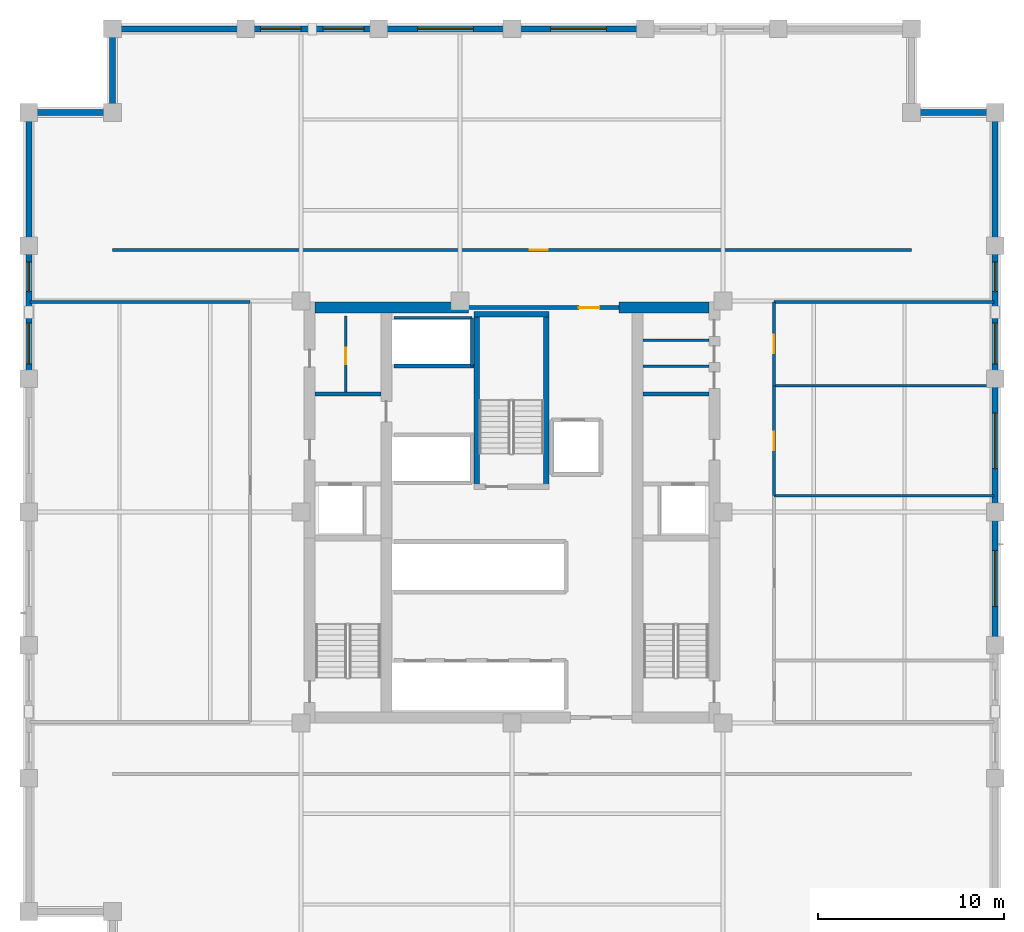
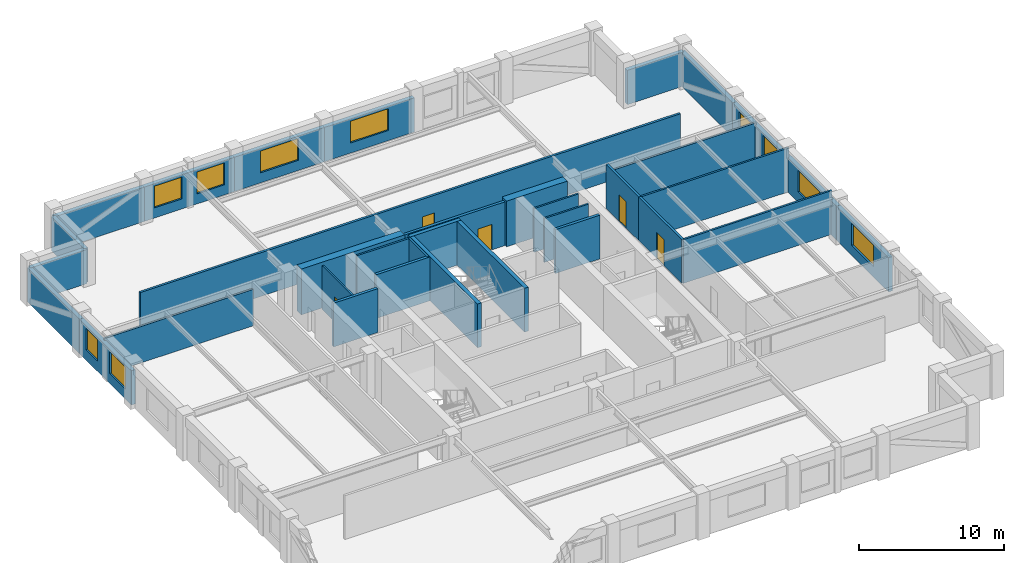
# One storey, part 7 of 9: 34 walls, 10 windows, 5 doors, 15 openings.
"""IFC4 building model written with IfcOpenShell, lengths in metres."""

from ifc_helpers import new_model, si_unit, direction, frame, frame_2d, origin, place, context, subcontext, project, spatial, rectangle, extrude, material, layer, layer_set, type_object, element, fill, save


model = new_model("IFC4")

# Units and contexts
model_context = context("Model", 3, precision=1e-05, world=origin(), true_north=direction((0.0, 1.0)))
body_context = subcontext(model_context, "Body", "Model", "MODEL_VIEW")
ifc_project = project(units=[si_unit("LENGTHUNIT", "METRE"), si_unit("AREAUNIT", "SQUARE_METRE"), si_unit("VOLUMEUNIT", "CUBIC_METRE"), si_unit("PLANEANGLEUNIT", "RADIAN"), si_unit("MASSUNIT", "GRAM", prefix="KILO")], contexts=[model_context])

# Site, building, storey
site_placement = place(None, origin())
site = spatial("IfcSite", under=ifc_project, at=site_placement, CompositionType="ELEMENT")
building_placement = place(site_placement, origin())
building = spatial("IfcBuilding", under=site, at=building_placement, Name="Nhamokura Convention Tower", CompositionType="ELEMENT")
storey_placement = place(building_placement, frame((0.0, 0.0, 149.10009765625)))
storey = spatial("IfcBuildingStorey", under=building, at=storey_placement, Name="L36", CompositionType="ELEMENT", Elevation=149.10009765625)

# Wall, opening, door
ifc_material_1 = material(Name="Moisture-resistant tile-backer partition", Category="masonry")
ifc_layer_1 = layer(ifc_material_1, 0.139892578125)
ifc_layer_set_1 = layer_set([ifc_layer_1], Name="BathroomWetWall_140")
wall_type_1 = type_object("IfcWallType", Name="BathroomWetWall_140", PredefinedType="STANDARD", material=ifc_layer_set_1)
wall_1_placement = place(storey_placement, frame((23.050048828125, 38.449951171875, 0.0), z_axis=(0.0, 0.0, 1.0), x_axis=(0.0, 1.0, 0.0)))
wall_1 = element("IfcWall", 1, at=wall_1_placement, inside=storey, type_object=wall_type_1, Name="L36 Wall INT-L36-CWNWV", PredefinedType="STANDARD", context=body_context, shape_type="SweptSolid", body=[
    extrude(rectangle(XDim=4.10009765625, YDim=0.139892578125, at=frame_2d((2.050048828125, 0.0))), origin(), (0.0, 0.0, 1.0), 3.684814453125),
])
opening_1_placement = place(wall_1_placement, frame((1.5, 0.0, 0.0)))
opening_1 = element("IfcOpeningElement", 2, at=opening_1_placement, cuts=wall_1, Name="Opening D-11", PredefinedType="OPENING", context=body_context, shape_type="SweptSolid", body=[
    extrude(rectangle(XDim=0.8798828125, YDim=2.10009765625, at=frame_2d((0.43994140625, 1.050048828125))), frame((0.0, 0.079833984375, 0.0), z_axis=(0.0, -1.0, 0.0), x_axis=(1.0, 0.0, 0.0)), (0.0, 0.0, 1.0), 0.159912109375),
])
ifc_material_2 = material(Name="Solid oak hardwood", Category="wood")
door_type_1 = type_object("IfcDoorType", Name="BathroomDoor_880", OperationType="NOTDEFINED", PredefinedType="DOOR", material=ifc_material_2)
door_1_placement = place(opening_1_placement, origin())
door_1 = element("IfcDoor", 3, at=door_1_placement, inside=storey, type_object=door_type_1, Name="L36 Inner Store Door", OperationType="SINGLE_SWING_LEFT", OverallHeight=2.10009765625, OverallWidth=0.8798828125, PredefinedType="DOOR", context=body_context, shape_type="SweptSolid", body=[
    extrude(rectangle(XDim=0.8798828125, YDim=2.10009765625, at=frame_2d((0.43994140625, 1.050048828125))), frame((0.0, 0.02490234375, 0.0), z_axis=(0.0, -1.0, 0.0), x_axis=(1.0, 0.0, 0.0)), (0.0, 0.0, 1.0), 0.050048828125),
])
fill(opening_1, door_1)

# Walls
for number, where, z_axis, x_axis, name in (
    (4, (39.06005859375, 39.85009765625, 0.0), (0.0, 0.0, 1.0), (1.0, 0.0, 0.0), "L36 Wall INT-L36-CWNE1"),
    (5, (39.06005859375, 41.25, 0.0), (0.0, 0.0, 1.0), (1.0, 0.0, 0.0), "L36 Wall INT-L36-CWNE2"),
):
    element("IfcWall", number, at=place(storey_placement, frame(where, z_axis=z_axis, x_axis=x_axis)), inside=storey, type_object=wall_type_1, Name=name, PredefinedType="STANDARD", context=body_context, shape_type="SweptSolid", body=[
        extrude(rectangle(XDim=3.530029296875, YDim=0.139892578125, at=frame_2d((1.76513671875, 0.0))), origin(), (0.0, 0.0, 1.0), 3.684814453125),
    ])
ifc_material_3 = material(Name="Bronze-pigmented precast concrete C45/55", Category="concrete")
ifc_layer_2 = layer(ifc_material_3, 0.320068359375)
ifc_layer_set_2 = layer_set([ifc_layer_2], Name="BronzePrecastSpandrel_320")
wall_type_2 = type_object("IfcWallType", Name="BronzePrecastSpandrel_320", PredefinedType="USERDEFINED", material=ifc_layer_set_2)
wall_2_placement = place(storey_placement, frame((10.5, 58.0, 0.0), z_axis=(0.0, 0.0, 1.0), x_axis=(1.0, 0.0, 0.0)))
element("IfcWall", 6, at=wall_2_placement, inside=storey, type_object=wall_type_2, Name="L36 Braced-Bay Precast Wall NORTH 0", ObjectType="SPANDREL_WALL", PredefinedType="USERDEFINED", context=body_context, shape_type="SweptSolid", body=[
    extrude(rectangle(XDim=7.166748046875, YDim=0.320068359375, at=frame_2d((3.58349609375, 0.0))), origin(), (0.0, 0.0, 1.0), 2.885009765625),
])

# Wall, openings, windows
wall_3_placement = place(storey_placement, frame((17.666748046875, 58.0, 0.0), z_axis=(0.0, 0.0, 1.0), x_axis=(1.0, 0.0, 0.0)))
wall_3 = element("IfcWall", 7, at=wall_3_placement, inside=storey, type_object=wall_type_2, Name="L36 Masonry-Frame Wall NORTH 1", ObjectType="SPANDREL_WALL", PredefinedType="USERDEFINED", context=body_context, shape_type="SweptSolid", body=[
    extrude(rectangle(XDim=7.16650390625, YDim=0.320068359375, at=frame_2d((3.583251953125, 0.0))), origin(), (0.0, 0.0, 1.0), 2.885009765625),
])
opening_2_placement = place(wall_3_placement, frame((0.791748046875, 0.0, 0.85009765625)))
opening_2 = element("IfcOpeningElement", 8, at=opening_2_placement, cuts=wall_3, Name="Opening W-06", PredefinedType="OPENING", context=body_context, shape_type="SweptSolid", body=[
    extrude(rectangle(XDim=2.199951171875, YDim=1.8349609375, at=frame_2d((1.10009765625, 0.91748046875))), frame((0.0, 0.169921875, 0.0), z_axis=(0.0, -1.0, 0.0), x_axis=(1.0, 0.0, 0.0)), (0.0, 0.0, 1.0), 0.340087890625),
])
opening_3_placement = place(wall_3_placement, frame((4.175048828125, 0.0, 0.85009765625)))
opening_3 = element("IfcOpeningElement", 9, at=opening_3_placement, cuts=wall_3, Name="Opening W-06", PredefinedType="OPENING", context=body_context, shape_type="SweptSolid", body=[
    extrude(rectangle(XDim=2.199951171875, YDim=1.8349609375, at=frame_2d((1.10009765625, 0.91748046875))), frame((0.0, 0.169921875, 0.0), z_axis=(0.0, -1.0, 0.0), x_axis=(1.0, 0.0, 0.0)), (0.0, 0.0, 1.0), 0.340087890625),
])
ifc_material_4 = material(Name="Solar-control bronze low-E double glass", Category="glass")
window_type_1 = type_object("IfcWindowType", Name="OfficeModuleWindow_Z2_2200", PartitioningType="SINGLE_PANEL", PredefinedType="WINDOW", material=ifc_material_4)
window_1_placement = place(opening_2_placement, origin())
window_1 = element("IfcWindow", 10, at=window_1_placement, inside=storey, type_object=window_type_1, Name="L36 Facade Window NORTH 1-1", OverallHeight=1.8349609375, OverallWidth=2.199951171875, PartitioningType="SINGLE_PANEL", PredefinedType="WINDOW", context=body_context, shape_type="SweptSolid", body=[
    extrude(rectangle(XDim=2.199951171875, YDim=1.8349609375, at=frame_2d((1.10009765625, 0.91748046875))), frame((0.0, 0.030029296875, 0.0), z_axis=(0.0, -1.0, 0.0), x_axis=(1.0, 0.0, 0.0)), (0.0, 0.0, 1.0), 0.06005859375),
])
fill(opening_2, window_1)
window_2_placement = place(opening_3_placement, origin())
window_2 = element("IfcWindow", 11, at=window_2_placement, inside=storey, type_object=window_type_1, Name="L36 Facade Window NORTH 1-2", OverallHeight=1.8349609375, OverallWidth=2.199951171875, PartitioningType="SINGLE_PANEL", PredefinedType="WINDOW", context=body_context, shape_type="SweptSolid", body=[
    extrude(rectangle(XDim=2.199951171875, YDim=1.8349609375, at=frame_2d((1.10009765625, 0.91748046875))), frame((0.0, 0.030029296875, 0.0), z_axis=(0.0, -1.0, 0.0), x_axis=(1.0, 0.0, 0.0)), (0.0, 0.0, 1.0), 0.06005859375),
])
fill(opening_3, window_2)

# Wall, opening, window
wall_4_placement = place(storey_placement, frame((24.833251953125, 58.0, 0.0), z_axis=(0.0, 0.0, 1.0), x_axis=(1.0, 0.0, 0.0)))
wall_4 = element("IfcWall", 12, at=wall_4_placement, inside=storey, type_object=wall_type_2, Name="L36 Masonry-Frame Wall NORTH 2", ObjectType="SPANDREL_WALL", PredefinedType="USERDEFINED", context=body_context, shape_type="SweptSolid", body=[
    extrude(rectangle(XDim=7.166748046875, YDim=0.320068359375, at=frame_2d((3.58349609375, 0.0))), origin(), (0.0, 0.0, 1.0), 2.885009765625),
])
opening_4_placement = place(wall_4_placement, frame((2.083251953125, 0.0, 0.85009765625)))
opening_4 = element("IfcOpeningElement", 13, at=opening_4_placement, cuts=wall_4, Name="Opening W-05", PredefinedType="OPENING", context=body_context, shape_type="SweptSolid", body=[
    extrude(rectangle(XDim=3.0, YDim=1.8349609375, at=frame_2d((1.5, 0.91748046875))), frame((0.0, 0.169921875, 0.0), z_axis=(0.0, -1.0, 0.0), x_axis=(1.0, 0.0, 0.0)), (0.0, 0.0, 1.0), 0.340087890625),
])
ifc_material_5 = material(Name="Solar-control bronze low-E double glass", Category="glass")
window_type_2 = type_object("IfcWindowType", Name="OfficeModuleWindow_Z2_3000", PartitioningType="DOUBLE_PANEL_VERTICAL", PredefinedType="WINDOW", material=ifc_material_5)
window_3_placement = place(opening_4_placement, origin())
window_3 = element("IfcWindow", 14, at=window_3_placement, inside=storey, type_object=window_type_2, Name="L36 Facade Window NORTH 2", OverallHeight=1.8349609375, OverallWidth=3.0, PartitioningType="SINGLE_PANEL", PredefinedType="WINDOW", context=body_context, shape_type="SweptSolid", body=[
    extrude(rectangle(XDim=3.0, YDim=1.8349609375, at=frame_2d((1.5, 0.91748046875))), frame((0.0, 0.030029296875, 0.0), z_axis=(0.0, -1.0, 0.0), x_axis=(1.0, 0.0, 0.0)), (0.0, 0.0, 1.0), 0.06005859375),
])
fill(opening_4, window_3)

wall_5_placement = place(storey_placement, frame((32.0, 58.0, 0.0), z_axis=(0.0, 0.0, 1.0), x_axis=(1.0, 0.0, 0.0)))
wall_5 = element("IfcWall", 15, at=wall_5_placement, inside=storey, type_object=wall_type_2, Name="L36 Masonry-Frame Wall NORTH 3", ObjectType="SPANDREL_WALL", PredefinedType="USERDEFINED", context=body_context, shape_type="SweptSolid", body=[
    extrude(rectangle(XDim=7.166748046875, YDim=0.320068359375, at=frame_2d((3.58349609375, 0.0))), origin(), (0.0, 0.0, 1.0), 2.885009765625),
])
opening_5_placement = place(wall_5_placement, frame((2.083251953125, 0.0, 0.85009765625)))
opening_5 = element("IfcOpeningElement", 16, at=opening_5_placement, cuts=wall_5, Name="Opening W-05", PredefinedType="OPENING", context=body_context, shape_type="SweptSolid", body=[
    extrude(rectangle(XDim=3.0, YDim=1.8349609375, at=frame_2d((1.5, 0.91748046875))), frame((0.0, 0.169921875, 0.0), z_axis=(0.0, -1.0, 0.0), x_axis=(1.0, 0.0, 0.0)), (0.0, 0.0, 1.0), 0.340087890625),
])
window_4_placement = place(opening_5_placement, origin())
window_4 = element("IfcWindow", 17, at=window_4_placement, inside=storey, type_object=window_type_2, Name="L36 Facade Window NORTH 3", OverallHeight=1.8349609375, OverallWidth=3.0, PartitioningType="SINGLE_PANEL", PredefinedType="WINDOW", context=body_context, shape_type="SweptSolid", body=[
    extrude(rectangle(XDim=3.0, YDim=1.8349609375, at=frame_2d((1.5, 0.91748046875))), frame((0.0, 0.030029296875, 0.0), z_axis=(0.0, -1.0, 0.0), x_axis=(1.0, 0.0, 0.0)), (0.0, 0.0, 1.0), 0.06005859375),
])
fill(opening_5, window_4)

# Wall, openings, windows
wall_6_placement = place(storey_placement, frame((6.0, 39.166748046875, 0.0), z_axis=(0.0, 0.0, 1.0), x_axis=(0.0, 1.0, 0.0)))
wall_6 = element("IfcWall", 18, at=wall_6_placement, inside=storey, type_object=wall_type_2, Name="L36 Masonry-Frame Wall WEST 4", ObjectType="SPANDREL_WALL", PredefinedType="USERDEFINED", context=body_context, shape_type="SweptSolid", body=[
    extrude(rectangle(XDim=7.16650390625, YDim=0.320068359375, at=frame_2d((3.583251953125, 0.0))), origin(), (0.0, 0.0, 1.0), 2.885009765625),
])
opening_6_placement = place(wall_6_placement, frame((0.791748046875, 0.0, 0.85009765625)))
opening_6 = element("IfcOpeningElement", 19, at=opening_6_placement, cuts=wall_6, Name="Opening W-06", PredefinedType="OPENING", context=body_context, shape_type="SweptSolid", body=[
    extrude(rectangle(XDim=2.199951171875, YDim=1.8349609375, at=frame_2d((1.10009765625, 0.91748046875))), frame((0.0, 0.169921875, 0.0), z_axis=(0.0, -1.0, 0.0), x_axis=(1.0, 0.0, 0.0)), (0.0, 0.0, 1.0), 0.340087890625),
])
opening_7_placement = place(wall_6_placement, frame((4.6875, 0.0, 0.85009765625)))
opening_7 = element("IfcOpeningElement", 20, at=opening_7_placement, cuts=wall_6, Name="Opening W-11", PredefinedType="OPENING", context=body_context, shape_type="SweptSolid", body=[
    extrude(rectangle(XDim=1.60009765625, YDim=1.8349609375, at=frame_2d((0.800048828125, 0.91748046875))), frame((0.0, 0.169921875, 0.0), z_axis=(0.0, -1.0, 0.0), x_axis=(1.0, 0.0, 0.0)), (0.0, 0.0, 1.0), 0.340087890625),
])
ifc_material_6 = material(Name="Solar-control bronze low-E double glass", Category="glass")
window_type_3 = type_object("IfcWindowType", Name="NotchCornerWindow_1600", PartitioningType="SINGLE_PANEL", PredefinedType="WINDOW", material=ifc_material_6)
window_5_placement = place(opening_7_placement, origin())
window_5 = element("IfcWindow", 21, at=window_5_placement, inside=storey, type_object=window_type_3, Name="L36 Facade Window WEST 4-2", OverallHeight=1.8349609375, OverallWidth=1.60009765625, PartitioningType="SINGLE_PANEL", PredefinedType="WINDOW", context=body_context, shape_type="SweptSolid", body=[
    extrude(rectangle(XDim=1.60009765625, YDim=1.8349609375, at=frame_2d((0.800048828125, 0.91748046875))), frame((0.0, 0.030029296875, 0.0), z_axis=(0.0, -1.0, 0.0), x_axis=(1.0, 0.0, 0.0)), (0.0, 0.0, 1.0), 0.06005859375),
])
fill(opening_7, window_5)
window_6_placement = place(opening_6_placement, origin())
window_6 = element("IfcWindow", 22, at=window_6_placement, inside=storey, type_object=window_type_1, Name="L36 Facade Window WEST 4-1", OverallHeight=1.8349609375, OverallWidth=2.199951171875, PartitioningType="SINGLE_PANEL", PredefinedType="WINDOW", context=body_context, shape_type="SweptSolid", body=[
    extrude(rectangle(XDim=2.199951171875, YDim=1.8349609375, at=frame_2d((1.10009765625, 0.91748046875))), frame((0.0, 0.030029296875, 0.0), z_axis=(0.0, -1.0, 0.0), x_axis=(1.0, 0.0, 0.0)), (0.0, 0.0, 1.0), 0.06005859375),
])
fill(opening_6, window_6)

# Wall
wall_7_placement = place(storey_placement, frame((6.0, 46.333251953125, 0.0), z_axis=(0.0, 0.0, 1.0), x_axis=(0.0, 1.0, 0.0)))
element("IfcWall", 23, at=wall_7_placement, inside=storey, type_object=wall_type_2, Name="L36 Braced-Bay Precast Wall WEST 5", ObjectType="SPANDREL_WALL", PredefinedType="USERDEFINED", context=body_context, shape_type="SweptSolid", body=[
    extrude(rectangle(XDim=7.166748046875, YDim=0.320068359375, at=frame_2d((3.58349609375, 0.0))), origin(), (0.0, 0.0, 1.0), 2.885009765625),
])

# Wall, opening, window
wall_8_placement = place(storey_placement, frame((58.0, 32.0, 0.0), z_axis=(0.0, 0.0, 1.0), x_axis=(0.0, -1.0, 0.0)))
wall_8 = element("IfcWall", 24, at=wall_8_placement, inside=storey, type_object=wall_type_2, Name="L36 Masonry-Frame Wall EAST 2", ObjectType="SPANDREL_WALL", PredefinedType="USERDEFINED", context=body_context, shape_type="SweptSolid", body=[
    extrude(rectangle(XDim=7.166748046875, YDim=0.320068359375, at=frame_2d((3.58349609375, 0.0))), origin(), (0.0, 0.0, 1.0), 2.885009765625),
])
opening_8_placement = place(wall_8_placement, frame((2.083251953125, 0.0, 0.85009765625)))
opening_8 = element("IfcOpeningElement", 25, at=opening_8_placement, cuts=wall_8, Name="Opening W-05", PredefinedType="OPENING", context=body_context, shape_type="SweptSolid", body=[
    extrude(rectangle(XDim=3.0, YDim=1.8349609375, at=frame_2d((1.5, 0.91748046875))), frame((0.0, 0.169921875, 0.0), z_axis=(0.0, -1.0, 0.0), x_axis=(1.0, 0.0, 0.0)), (0.0, 0.0, 1.0), 0.340087890625),
])
window_7_placement = place(opening_8_placement, origin())
window_7 = element("IfcWindow", 26, at=window_7_placement, inside=storey, type_object=window_type_2, Name="L36 Facade Window EAST 2", OverallHeight=1.8349609375, OverallWidth=3.0, PartitioningType="SINGLE_PANEL", PredefinedType="WINDOW", context=body_context, shape_type="SweptSolid", body=[
    extrude(rectangle(XDim=3.0, YDim=1.8349609375, at=frame_2d((1.5, 0.91748046875))), frame((0.0, 0.030029296875, 0.0), z_axis=(0.0, -1.0, 0.0), x_axis=(1.0, 0.0, 0.0)), (0.0, 0.0, 1.0), 0.06005859375),
])
fill(opening_8, window_7)

wall_9_placement = place(storey_placement, frame((58.0, 39.166748046875, 0.0), z_axis=(0.0, 0.0, 1.0), x_axis=(0.0, -1.0, 0.0)))
wall_9 = element("IfcWall", 27, at=wall_9_placement, inside=storey, type_object=wall_type_2, Name="L36 Masonry-Frame Wall EAST 3", ObjectType="SPANDREL_WALL", PredefinedType="USERDEFINED", context=body_context, shape_type="SweptSolid", body=[
    extrude(rectangle(XDim=7.166748046875, YDim=0.320068359375, at=frame_2d((3.58349609375, 0.0))), origin(), (0.0, 0.0, 1.0), 2.885009765625),
])
opening_9_placement = place(wall_9_placement, frame((1.833251953125, 0.0, 0.85009765625)))
opening_9 = element("IfcOpeningElement", 28, at=opening_9_placement, cuts=wall_9, Name="Opening W-05", PredefinedType="OPENING", context=body_context, shape_type="SweptSolid", body=[
    extrude(rectangle(XDim=3.0, YDim=1.8349609375, at=frame_2d((1.5, 0.91748046875))), frame((0.0, 0.169921875, 0.0), z_axis=(0.0, -1.0, 0.0), x_axis=(1.0, 0.0, 0.0)), (0.0, 0.0, 1.0), 0.340087890625),
])
window_8_placement = place(opening_9_placement, origin())
window_8 = element("IfcWindow", 29, at=window_8_placement, inside=storey, type_object=window_type_2, Name="L36 Facade Window EAST 3", OverallHeight=1.8349609375, OverallWidth=3.0, PartitioningType="SINGLE_PANEL", PredefinedType="WINDOW", context=body_context, shape_type="SweptSolid", body=[
    extrude(rectangle(XDim=3.0, YDim=1.8349609375, at=frame_2d((1.5, 0.91748046875))), frame((0.0, 0.030029296875, 0.0), z_axis=(0.0, -1.0, 0.0), x_axis=(1.0, 0.0, 0.0)), (0.0, 0.0, 1.0), 0.06005859375),
])
fill(opening_9, window_8)

# Wall, openings, windows
wall_10_placement = place(storey_placement, frame((58.0, 46.333251953125, 0.0), z_axis=(0.0, 0.0, 1.0), x_axis=(0.0, -1.0, 0.0)))
wall_10 = element("IfcWall", 30, at=wall_10_placement, inside=storey, type_object=wall_type_2, Name="L36 Masonry-Frame Wall EAST 4", ObjectType="SPANDREL_WALL", PredefinedType="USERDEFINED", context=body_context, shape_type="SweptSolid", body=[
    extrude(rectangle(XDim=7.16650390625, YDim=0.320068359375, at=frame_2d((3.583251953125, 0.0))), origin(), (0.0, 0.0, 1.0), 2.885009765625),
])
opening_10_placement = place(wall_10_placement, frame((0.879150390625, 0.0, 0.85009765625)))
opening_10 = element("IfcOpeningElement", 31, at=opening_10_placement, cuts=wall_10, Name="Opening W-11", PredefinedType="OPENING", context=body_context, shape_type="SweptSolid", body=[
    extrude(rectangle(XDim=1.60009765625, YDim=1.8349609375, at=frame_2d((0.800048828125, 0.91748046875))), frame((0.0, 0.169921875, 0.0), z_axis=(0.0, -1.0, 0.0), x_axis=(1.0, 0.0, 0.0)), (0.0, 0.0, 1.0), 0.340087890625),
])
opening_11_placement = place(wall_10_placement, frame((4.175048828125, 0.0, 0.85009765625)))
opening_11 = element("IfcOpeningElement", 32, at=opening_11_placement, cuts=wall_10, Name="Opening W-06", PredefinedType="OPENING", context=body_context, shape_type="SweptSolid", body=[
    extrude(rectangle(XDim=2.199951171875, YDim=1.8349609375, at=frame_2d((1.10009765625, 0.91748046875))), frame((0.0, 0.169921875, 0.0), z_axis=(0.0, -1.0, 0.0), x_axis=(1.0, 0.0, 0.0)), (0.0, 0.0, 1.0), 0.340087890625),
])
window_9_placement = place(opening_10_placement, origin())
window_9 = element("IfcWindow", 33, at=window_9_placement, inside=storey, type_object=window_type_3, Name="L36 Facade Window EAST 4-1", OverallHeight=1.8349609375, OverallWidth=1.60009765625, PartitioningType="SINGLE_PANEL", PredefinedType="WINDOW", context=body_context, shape_type="SweptSolid", body=[
    extrude(rectangle(XDim=1.60009765625, YDim=1.8349609375, at=frame_2d((0.800048828125, 0.91748046875))), frame((0.0, 0.030029296875, 0.0), z_axis=(0.0, -1.0, 0.0), x_axis=(1.0, 0.0, 0.0)), (0.0, 0.0, 1.0), 0.06005859375),
])
fill(opening_10, window_9)
window_10_placement = place(opening_11_placement, origin())
window_10 = element("IfcWindow", 34, at=window_10_placement, inside=storey, type_object=window_type_1, Name="L36 Facade Window EAST 4-2", OverallHeight=1.8349609375, OverallWidth=2.199951171875, PartitioningType="SINGLE_PANEL", PredefinedType="WINDOW", context=body_context, shape_type="SweptSolid", body=[
    extrude(rectangle(XDim=2.199951171875, YDim=1.8349609375, at=frame_2d((1.10009765625, 0.91748046875))), frame((0.0, 0.030029296875, 0.0), z_axis=(0.0, -1.0, 0.0), x_axis=(1.0, 0.0, 0.0)), (0.0, 0.0, 1.0), 0.06005859375),
])
fill(opening_11, window_10)

# Walls
wall_11_placement = place(storey_placement, frame((58.0, 53.5, 0.0), z_axis=(0.0, 0.0, 1.0), x_axis=(0.0, -1.0, 0.0)))
element("IfcWall", 35, at=wall_11_placement, inside=storey, type_object=wall_type_2, Name="L36 Braced-Bay Precast Wall EAST 5", ObjectType="SPANDREL_WALL", PredefinedType="USERDEFINED", context=body_context, shape_type="SweptSolid", body=[
    extrude(rectangle(XDim=7.166748046875, YDim=0.320068359375, at=frame_2d((3.58349609375, 0.0))), origin(), (0.0, 0.0, 1.0), 2.885009765625),
])
for number, where, z_axis, x_axis, name in (
    (36, (53.5, 53.5, 0.0), (0.0, 0.0, 1.0), (1.0, 0.0, 0.0), "L36 Notched Corner Wall NE1"),
    (37, (10.5, 53.5, 0.0), (0.0, 0.0, 1.0), (0.0, 1.0, 0.0), "L36 Notched Corner Wall NW1"),
    (38, (6.0, 53.5, 0.0), (0.0, 0.0, 1.0), (1.0, 0.0, 0.0), "L36 Notched Corner Wall NW2"),
):
    element("IfcWall", number, at=place(storey_placement, frame(where, z_axis=z_axis, x_axis=x_axis)), inside=storey, type_object=wall_type_2, Name=name, ObjectType="SPANDREL_WALL", PredefinedType="USERDEFINED", context=body_context, shape_type="SweptSolid", body=[
        extrude(rectangle(XDim=4.5, YDim=0.320068359375, at=frame_2d((2.25, 0.0))), origin(), (0.0, 0.0, 1.0), 2.885009765625),
    ])
ifc_material_7 = material(Name="Concrete C60/75", Category="concrete")
ifc_layer_3 = layer(ifc_material_7, 0.60009765625)
ifc_layer_set_3 = layer_set([ifc_layer_3], Name="CoreShearWall_600")
wall_type_3 = type_object("IfcWallType", Name="CoreShearWall_600", PredefinedType="SHEAR", material=ifc_layer_set_3)
wall_12_placement = place(storey_placement, frame((21.409912109375, 43.0, 0.0), z_axis=(0.0, 0.0, 1.0), x_axis=(1.0, 0.0, 0.0)))
element("IfcWall", 39, at=wall_12_placement, inside=storey, type_object=wall_type_3, Name="L36 Core Shear Wall CW-N1", PredefinedType="SHEAR", context=body_context, shape_type="SweptSolid", body=[
    extrude(rectangle(XDim=8.239990234375, YDim=0.60009765625, at=frame_2d((4.1201171875, 0.0))), origin(), (0.0, 0.0, 1.0), 3.849853515625),
])
wall_13_placement = place(storey_placement, frame((37.75, 43.0, 0.0), z_axis=(0.0, 0.0, 1.0), x_axis=(1.0, 0.0, 0.0)))
element("IfcWall", 40, at=wall_13_placement, inside=storey, type_object=wall_type_3, Name="L36 Core Shear Wall CW-N2", PredefinedType="SHEAR", context=body_context, shape_type="SweptSolid", body=[
    extrude(rectangle(XDim=4.840087890625, YDim=0.60009765625, at=frame_2d((2.419921875, 0.0))), origin(), (0.0, 0.0, 1.0), 3.849853515625),
])

# Wall, opening, door
ifc_material_8 = material(Name="Fire-rated gypsum and masonry partition", Category="masonry")
ifc_layer_4 = layer(ifc_material_8, 0.179931640625)
ifc_layer_set_4 = layer_set([ifc_layer_4], Name="CorridorRatedWall_180")
wall_type_4 = type_object("IfcWallType", Name="CorridorRatedWall_180", PredefinedType="STANDARD", material=ifc_layer_set_4)
wall_14_placement = place(storey_placement, frame((10.5, 46.10009765625, 0.0), z_axis=(0.0, 0.0, 1.0), x_axis=(1.0, 0.0, 0.0)))
wall_14 = element("IfcWall", 41, at=wall_14_placement, inside=storey, type_object=wall_type_4, Name="L36 Wall INT-L36-CW-N00", PredefinedType="STANDARD", context=body_context, shape_type="SweptSolid", body=[
    extrude(rectangle(XDim=43.0, YDim=0.179931640625, at=frame_2d((21.5, 0.0))), origin(), (0.0, 0.0, 1.0), 3.684814453125),
])
opening_12_placement = place(wall_14_placement, frame((22.449951171875, 0.0, 0.0)))
opening_12 = element("IfcOpeningElement", 42, at=opening_12_placement, cuts=wall_14, Name="Opening D-08", PredefinedType="OPENING", context=body_context, shape_type="SweptSolid", body=[
    extrude(rectangle(XDim=0.97998046875, YDim=2.199951171875, at=frame_2d((0.489990234375, 1.10009765625))), frame((0.0, 0.099853515625, 0.0), z_axis=(0.0, -1.0, 0.0), x_axis=(1.0, 0.0, 0.0)), (0.0, 0.0, 1.0), 0.199951171875),
])
ifc_material_9 = material(Name="Solid oak hardwood", Category="wood")
door_type_2 = type_object("IfcDoorType", Name="OfficeEntryDoor_980", OperationType="NOTDEFINED", PredefinedType="DOOR", material=ifc_material_9)
door_2_placement = place(opening_12_placement, origin())
door_2 = element("IfcDoor", 43, at=door_2_placement, inside=storey, type_object=door_type_2, Name="L36 Conference Hall N01 Door", OperationType="SINGLE_SWING_LEFT", OverallHeight=2.199951171875, OverallWidth=0.97998046875, PredefinedType="DOOR", context=body_context, shape_type="SweptSolid", body=[
    extrude(rectangle(XDim=0.97998046875, YDim=2.199951171875, at=frame_2d((0.489990234375, 1.10009765625))), frame((0.0, 0.02490234375, 0.0), z_axis=(0.0, -1.0, 0.0), x_axis=(1.0, 0.0, 0.0)), (0.0, 0.0, 1.0), 0.050048828125),
])
fill(opening_12, door_2)

wall_15_placement = place(storey_placement, frame((46.10009765625, 32.875, 0.0), z_axis=(0.0, 0.0, 1.0), x_axis=(0.0, 1.0, 0.0)))
wall_15 = element("IfcWall", 44, at=wall_15_placement, inside=storey, type_object=wall_type_4, Name="L36 Wall INT-L36-CW-E02", PredefinedType="STANDARD", context=body_context, shape_type="SweptSolid", body=[
    extrude(rectangle(XDim=5.916748046875, YDim=0.179931640625, at=frame_2d((2.95849609375, 0.0))), origin(), (0.0, 0.0, 1.0), 3.684814453125),
])
opening_13_placement = place(wall_15_placement, frame((2.458251953125, 0.0, 0.0)))
opening_13 = element("IfcOpeningElement", 45, at=opening_13_placement, cuts=wall_15, Name="Opening D-08", PredefinedType="OPENING", context=body_context, shape_type="SweptSolid", body=[
    extrude(rectangle(XDim=0.97998046875, YDim=2.199951171875, at=frame_2d((0.489990234375, 1.10009765625))), frame((0.0, 0.099853515625, 0.0), z_axis=(0.0, -1.0, 0.0), x_axis=(1.0, 0.0, 0.0)), (0.0, 0.0, 1.0), 0.199951171875),
])
door_3_placement = place(opening_13_placement, origin())
door_3 = element("IfcDoor", 46, at=door_3_placement, inside=storey, type_object=door_type_2, Name="L36 Meeting Room E03 Door", OperationType="SINGLE_SWING_LEFT", OverallHeight=2.199951171875, OverallWidth=0.97998046875, PredefinedType="DOOR", context=body_context, shape_type="SweptSolid", body=[
    extrude(rectangle(XDim=0.97998046875, YDim=2.199951171875, at=frame_2d((0.489990234375, 1.10009765625))), frame((0.0, 0.02490234375, 0.0), z_axis=(0.0, -1.0, 0.0), x_axis=(1.0, 0.0, 0.0)), (0.0, 0.0, 1.0), 0.050048828125),
])
fill(opening_13, door_3)

wall_16_placement = place(storey_placement, frame((46.10009765625, 38.791748046875, 0.0), z_axis=(0.0, 0.0, 1.0), x_axis=(0.0, 1.0, 0.0)))
wall_16 = element("IfcWall", 47, at=wall_16_placement, inside=storey, type_object=wall_type_4, Name="L36 Wall INT-L36-CW-E03", PredefinedType="STANDARD", context=body_context, shape_type="SweptSolid", body=[
    extrude(rectangle(XDim=4.50830078125, YDim=0.179931640625, at=frame_2d((2.254150390625, 0.0))), origin(), (0.0, 0.0, 1.0), 3.684814453125),
])
opening_14_placement = place(wall_16_placement, frame((1.754150390625, 0.0, 0.0)))
opening_14 = element("IfcOpeningElement", 48, at=opening_14_placement, cuts=wall_16, Name="Opening D-08", PredefinedType="OPENING", context=body_context, shape_type="SweptSolid", body=[
    extrude(rectangle(XDim=0.97998046875, YDim=2.199951171875, at=frame_2d((0.489990234375, 1.10009765625))), frame((0.0, 0.099853515625, 0.0), z_axis=(0.0, -1.0, 0.0), x_axis=(1.0, 0.0, 0.0)), (0.0, 0.0, 1.0), 0.199951171875),
])
door_4_placement = place(opening_14_placement, origin())
door_4 = element("IfcDoor", 49, at=door_4_placement, inside=storey, type_object=door_type_2, Name="L36 Private Office E04 Door", OperationType="SINGLE_SWING_RIGHT", OverallHeight=2.199951171875, OverallWidth=0.97998046875, PredefinedType="DOOR", context=body_context, shape_type="SweptSolid", body=[
    extrude(rectangle(XDim=0.97998046875, YDim=2.199951171875, at=frame_2d((0.489990234375, 1.10009765625))), frame((0.0, 0.02490234375, 0.0), z_axis=(0.0, -1.0, 0.0), x_axis=(1.0, 0.0, 0.0)), (0.0, 0.0, 1.0), 0.050048828125),
])
fill(opening_14, door_4)

# Walls
ifc_material_10 = material(Name="Autoclaved concrete blockwork", Category="masonry")
ifc_layer_5 = layer(ifc_material_10, 0.219970703125)
ifc_layer_set_5 = layer_set([ifc_layer_5], Name="FireLobbyWall_220")
wall_type_5 = type_object("IfcWallType", Name="FireLobbyWall_220", PredefinedType="STANDARD", material=ifc_layer_set_5)
for number, where, z_axis, x_axis, name in (
    (50, (21.409912109375, 38.35009765625, 0.0), (0.0, 0.0, 1.0), (1.0, 0.0, 0.0), "L36 Wall INT-L36-FFW-N"),
    (51, (39.06005859375, 38.35009765625, 0.0), (0.0, 0.0, 1.0), (1.0, 0.0, 0.0), "L36 Wall INT-L36-FFE-N"),
):
    element("IfcWall", number, at=place(storey_placement, frame(where, z_axis=z_axis, x_axis=x_axis)), inside=storey, type_object=wall_type_5, Name=name, PredefinedType="STANDARD", context=body_context, shape_type="SweptSolid", body=[
        extrude(rectangle(XDim=3.530029296875, YDim=0.219970703125, at=frame_2d((1.76513671875, 0.0))), origin(), (0.0, 0.0, 1.0), 3.684814453125),
    ])
wall_17_placement = place(storey_placement, frame((25.64990234375, 39.85009765625, 0.0), z_axis=(0.0, 0.0, 1.0), x_axis=(1.0, 0.0, 0.0)))
element("IfcWall", 52, at=wall_17_placement, inside=storey, type_object=wall_type_5, Name="L36 Wall INT-L36-B3N", PredefinedType="STANDARD", context=body_context, shape_type="SweptSolid", body=[
    extrude(rectangle(XDim=4.300048828125, YDim=0.219970703125, at=frame_2d((2.14990234375, 0.0))), origin(), (0.0, 0.0, 1.0), 3.684814453125),
])

# Wall, opening, door
wall_18_placement = place(storey_placement, frame((29.64990234375, 43.0, 0.0), z_axis=(0.0, 0.0, 1.0), x_axis=(1.0, 0.0, 0.0)))
wall_18 = element("IfcWall", 53, at=wall_18_placement, inside=storey, type_object=wall_type_5, Name="L36 Wall INT-L36-CPORT-N", PredefinedType="STANDARD", context=body_context, shape_type="SweptSolid", body=[
    extrude(rectangle(XDim=8.10009765625, YDim=0.219970703125, at=frame_2d((4.050048828125, 0.0))), origin(), (0.0, 0.0, 1.0), 3.684814453125),
])
opening_15_placement = place(wall_18_placement, frame((5.949951171875, 0.0, 0.0)))
opening_15 = element("IfcOpeningElement", 54, at=opening_15_placement, cuts=wall_18, Name="Opening D-05", PredefinedType="OPENING", context=body_context, shape_type="SweptSolid", body=[
    extrude(rectangle(XDim=1.10009765625, YDim=2.14990234375, at=frame_2d((0.550048828125, 1.074951171875))), frame((0.0, 0.119873046875, 0.0), z_axis=(0.0, -1.0, 0.0), x_axis=(1.0, 0.0, 0.0)), (0.0, 0.0, 1.0), 0.239990234375),
])
ifc_material_11 = material(Name="Fire-rated steel door", Category="steel")
door_type_3 = type_object("IfcDoorType", Name="FireLobbyDoor_1100", OperationType="NOTDEFINED", PredefinedType="DOOR", material=ifc_material_11)
door_5_placement = place(opening_15_placement, origin())
door_5 = element("IfcDoor", 55, at=door_5_placement, inside=storey, type_object=door_type_3, Name="L36 North Core Lobby Portal Door", OperationType="SINGLE_SWING_RIGHT", OverallHeight=2.14990234375, OverallWidth=1.10009765625, PredefinedType="DOOR", context=body_context, shape_type="SweptSolid", body=[
    extrude(rectangle(XDim=1.10009765625, YDim=2.14990234375, at=frame_2d((0.550048828125, 1.074951171875))), frame((0.0, 0.02490234375, 0.0), z_axis=(0.0, -1.0, 0.0), x_axis=(1.0, 0.0, 0.0)), (0.0, 0.0, 1.0), 0.050048828125),
])
fill(opening_15, door_5)

# Walls
ifc_material_12 = material(Name="Acoustic gypsum stud partition", Category="masonry")
ifc_layer_6 = layer(ifc_material_12, 0.14990234375)
ifc_layer_set_6 = layer_set([ifc_layer_6], Name="InteriorPartition_150")
wall_type_6 = type_object("IfcWallType", Name="InteriorPartition_150", PredefinedType="STANDARD", material=ifc_layer_set_6)
wall_19_placement = place(storey_placement, frame((25.64990234375, 42.449951171875, 0.0), z_axis=(0.0, 0.0, 1.0), x_axis=(1.0, 0.0, 0.0)))
element("IfcWall", 56, at=wall_19_placement, inside=storey, type_object=wall_type_6, Name="L36 Wall INT-L36-B3B-N", PredefinedType="STANDARD", context=body_context, shape_type="SweptSolid", body=[
    extrude(rectangle(XDim=4.2001953125, YDim=0.14990234375, at=frame_2d((2.10009765625, 0.0))), origin(), (0.0, 0.0, 1.0), 3.684814453125),
])
wall_20_placement = place(storey_placement, frame((29.85009765625, 39.85009765625, 0.0), z_axis=(0.0, 0.0, 1.0), x_axis=(0.0, 1.0, 0.0)))
element("IfcWall", 57, at=wall_20_placement, inside=storey, type_object=wall_type_6, Name="L36 Wall INT-L36-B3B-E", PredefinedType="STANDARD", context=body_context, shape_type="SweptSolid", body=[
    extrude(rectangle(XDim=2.599853515625, YDim=0.14990234375, at=frame_2d((1.2998046875, 0.0))), origin(), (0.0, 0.0, 1.0), 3.684814453125),
])
for number, where, z_axis, x_axis, name in (
    (58, (6.06005859375, 43.300048828125, 0.0), (0.0, 0.0, 1.0), (1.0, 0.0, 0.0), "L36 Wall INT-L36-RWT-W"),
    (59, (46.10009765625, 43.300048828125, 0.0), (0.0, 0.0, 1.0), (1.0, 0.0, 0.0), "L36 Wall INT-L36-RWT-E"),
):
    element("IfcWall", number, at=place(storey_placement, frame(where, z_axis=z_axis, x_axis=x_axis)), inside=storey, type_object=wall_type_6, Name=name, PredefinedType="STANDARD", context=body_context, shape_type="SweptSolid", body=[
        extrude(rectangle(XDim=11.83984375, YDim=0.14990234375, at=frame_2d((5.919921875, 0.0))), origin(), (0.0, 0.0, 1.0), 3.06494140625),
    ])
for number, where, z_axis, x_axis, name in (
    (60, (46.10009765625, 32.875, 0.0), (0.0, 0.0, 1.0), (1.0, 0.0, 0.0), "L36 Wall INT-L36-RW-E02"),
    (61, (46.10009765625, 38.791748046875, 0.0), (0.0, 0.0, 1.0), (1.0, 0.0, 0.0), "L36 Wall INT-L36-RW-E03"),
):
    element("IfcWall", number, at=place(storey_placement, frame(where, z_axis=z_axis, x_axis=x_axis)), inside=storey, type_object=wall_type_6, Name=name, PredefinedType="STANDARD", context=body_context, shape_type="SweptSolid", body=[
        extrude(rectangle(XDim=11.83984375, YDim=0.14990234375, at=frame_2d((5.919921875, 0.0))), origin(), (0.0, 0.0, 1.0), 3.684814453125),
    ])
ifc_material_13 = material(Name="Concrete C50/60", Category="concrete")
ifc_layer_7 = layer(ifc_material_13, 0.300048828125)
ifc_layer_set_7 = layer_set([ifc_layer_7], Name="ShaftEnclosureWall_300")
wall_type_7 = type_object("IfcWallType", Name="ShaftEnclosureWall_300", PredefinedType="SHEAR", material=ifc_layer_set_7)
for number, where, z_axis, x_axis, name in (
    (62, (30.10009765625, 33.199951171875, 0.0), (0.0, 0.0, 1.0), (0.0, 1.0, 0.0), "L36 Wall INT-L36-ST03W"),
    (63, (33.85009765625, 33.199951171875, 0.0), (0.0, 0.0, 1.0), (0.0, 1.0, 0.0), "L36 Wall INT-L36-ST03E"),
):
    element("IfcWall", number, at=place(storey_placement, frame(where, z_axis=z_axis, x_axis=x_axis)), inside=storey, type_object=wall_type_7, Name=name, PredefinedType="SHEAR", context=body_context, shape_type="SweptSolid", body=[
        extrude(rectangle(XDim=9.60009765625, YDim=0.300048828125, at=frame_2d((4.800048828125, 0.0))), origin(), (0.0, 0.0, 1.0), 3.684814453125),
    ])
wall_21_placement = place(storey_placement, frame((29.949951171875, 42.64990234375, 0.0), z_axis=(0.0, 0.0, 1.0), x_axis=(1.0, 0.0, 0.0)))
element("IfcWall", 64, at=wall_21_placement, inside=storey, type_object=wall_type_7, Name="L36 Wall INT-L36-ST03N", PredefinedType="SHEAR", context=body_context, shape_type="SweptSolid", body=[
    extrude(rectangle(XDim=4.050048828125, YDim=0.300048828125, at=frame_2d((2.02490234375, 0.0))), origin(), (0.0, 0.0, 1.0), 3.684814453125),
])

save(model, "model.ifc")
